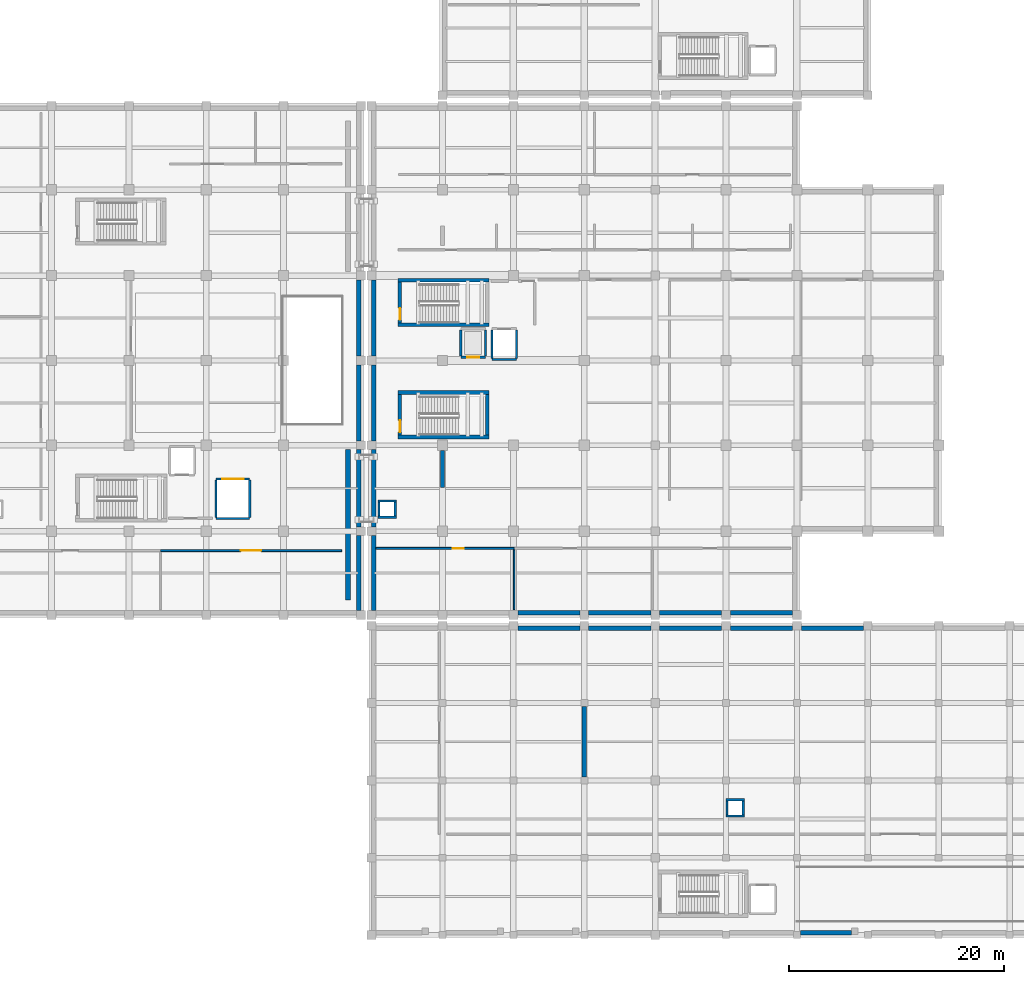
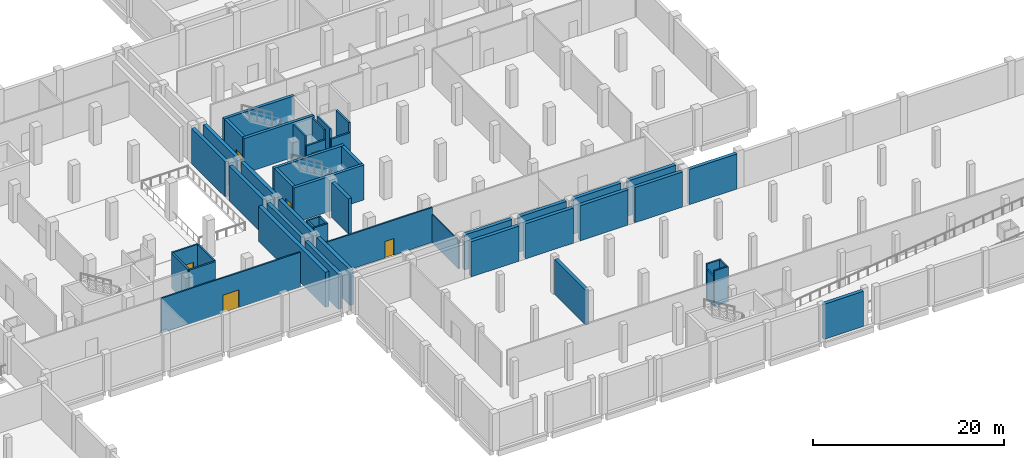
# One storey, part 14 of 31: 49 walls, 6 doors, 6 openings.
"""IFC4 building model written with IfcOpenShell, lengths in metres."""

import ifcopenshell
import ifcopenshell.guid

model = None  # the IFC model being written
_history = None  # IfcOwnerHistory: only IFC2X3 demands one
_inside = {}  # id of a spatial element -> (the spatial element, [elements in it])
_under = {}  # id of a project, library or spatial element -> (it, [spatial elements below it])
_declared = {}  # id of a project -> (the project, [libraries it declares])
_typed = {}  # id of a type object -> (the type object, [elements of that type])
_made_of = {}  # id of a material, layer set ... -> (it, [elements and type objects made of it])


def new_model(schema):
    """Start an empty IFC model of exactly this schema.

    Asked for "IFC4X3", IfcOpenShell would pick the latest addendum, in which some entities
    have other attributes; the version numbers below select the first issue.
    IFC2X3 requires an IfcOwnerHistory on every rooted entity: one is made here for all.
    """
    global model, _history
    if schema == "IFC4X3":
        model = ifcopenshell.file(schema_version=(4, 3, 0, 0))
    else:
        model = ifcopenshell.file(schema=schema)
    _inside.clear()
    _under.clear()
    _declared.clear()
    _typed.clear()
    _made_of.clear()
    _history = None
    if model.schema == "IFC2X3":
        org = make("IfcOrganization", Name="unknown")
        user = make(
            "IfcPersonAndOrganization",
            ThePerson=make("IfcPerson", FamilyName="unknown"),
            TheOrganization=org,
        )
        app = make(
            "IfcApplication",
            ApplicationDeveloper=org,
            Version="unknown",
            ApplicationFullName="unknown",
            ApplicationIdentifier="unknown",
        )
        _history = make(
            "IfcOwnerHistory",
            OwningUser=user,
            OwningApplication=app,
            ChangeAction="ADDED",
            CreationDate=0,
        )
    return model


def make(cls, **values):
    """One entity of the class cls with the attributes given. An attribute that is None is left unset."""
    return model.create_entity(
        cls, **{name: value for name, value in values.items() if value is not None}
    )


def rooted(cls, **values):
    """An entity with a GlobalId (a new one), such as an element, a storey or a relation."""
    return make(cls, GlobalId=ifcopenshell.guid.new(), OwnerHistory=_history, **values)


def si_unit(unit_type, name, prefix=None):
    """IfcSIUnit, for example si_unit("LENGTHUNIT", "METRE", prefix="MILLI")."""
    return make("IfcSIUnit", UnitType=unit_type, Prefix=prefix, Name=name)


def assignment(units):
    """IfcUnitAssignment: the units of a project."""
    return None if units is None else make("IfcUnitAssignment", Units=units)


def point(xyz):
    """IfcCartesianPoint."""
    return None if xyz is None else make("IfcCartesianPoint", Coordinates=xyz)


def direction(xyz):
    """IfcDirection."""
    return None if xyz is None else make("IfcDirection", DirectionRatios=xyz)


def frame(location, z_axis=None, x_axis=None):
    """IfcAxis2Placement3D, a coordinate frame: its origin and axes. An axis left out is left unset."""
    return make(
        "IfcAxis2Placement3D",
        Location=point(location),
        Axis=direction(z_axis),
        RefDirection=direction(x_axis),
    )


def frame_2d(location, x_axis=None):
    """IfcAxis2Placement2D, a coordinate frame in the plane: its origin and x axis."""
    return make(
        "IfcAxis2Placement2D", Location=point(location), RefDirection=direction(x_axis)
    )


def origin():
    """The frame at (0, 0, 0) with its axes left unset."""
    return frame((0.0, 0.0, 0.0))


def place(relative_to, where):
    """IfcLocalPlacement: puts the frame where relative to a parent placement (None: the world)."""
    return make(
        "IfcLocalPlacement", PlacementRelTo=relative_to, RelativePlacement=where
    )


def context(
    kind, dimensions, precision=None, world=None, true_north=None, identifier=None
):
    """IfcGeometricRepresentationContext, for example the 3D "Model" context."""
    return make(
        "IfcGeometricRepresentationContext",
        ContextIdentifier=identifier,
        ContextType=kind,
        CoordinateSpaceDimension=dimensions,
        Precision=precision,
        WorldCoordinateSystem=world,
        TrueNorth=true_north,
    )


def subcontext(parent, identifier, kind, view, scale=None):
    """IfcGeometricRepresentationSubContext, for example "Body" below "Model"."""
    return make(
        "IfcGeometricRepresentationSubContext",
        ContextIdentifier=identifier,
        ContextType=kind,
        ParentContext=parent,
        TargetScale=scale,
        TargetView=view,
    )


def project(units=None, contexts=None):
    """IfcProject with its units and contexts."""
    return rooted(
        "IfcProject",
        Name="project",
        RepresentationContexts=contexts,
        UnitsInContext=assignment(units),
    )


def spatial(cls, under=None, at=None, **own):
    """A site, building, storey or space (cls), placed at a placement, below another one or the project."""
    s = rooted(cls, ObjectPlacement=at, **own)
    if under is not None:
        _under.setdefault(under.id(), (under, []))[1].append(s)
    return s


def profile(cls, at=None, kind="AREA", **sizes):
    """A parametric profile (cls). Its sizes go by their IFC names, for example OverallWidth=200.0."""
    return make(cls, ProfileType=kind, Position=at, **sizes)


def rectangle(**sizes):
    """IfcRectangleProfileDef."""
    return profile("IfcRectangleProfileDef", **sizes)


def extrude(swept, where, along, depth):
    """IfcExtrudedAreaSolid: the profile swept, set in the frame where, extruded along a direction by depth."""
    return make(
        "IfcExtrudedAreaSolid",
        SweptArea=swept,
        Position=where,
        ExtrudedDirection=direction(along),
        Depth=depth,
    )


def shape(context_of_items, identifier, shape_type, items):
    """IfcShapeRepresentation: the items that make up one representation, for example the "Body"."""
    return make(
        "IfcShapeRepresentation",
        ContextOfItems=context_of_items,
        RepresentationIdentifier=identifier,
        RepresentationType=shape_type,
        Items=items,
    )


def material(Name=None, Category=None):
    """IfcMaterial."""
    return make("IfcMaterial", Name=Name, Category=Category)


def layer(
    of_material, thickness, ventilated=None, Name=None, Category=None, Priority=None
):
    """IfcMaterialLayer: one layer of a wall or slab, of a material (None: an air gap)."""
    return make(
        "IfcMaterialLayer",
        Material=of_material,
        LayerThickness=thickness,
        IsVentilated=ventilated,
        Name=Name,
        Category=Category,
        Priority=Priority,
    )


def layer_set(layers, Name=None):
    """IfcMaterialLayerSet."""
    return make("IfcMaterialLayerSet", MaterialLayers=layers, LayerSetName=Name)


def made_of(thing, what):
    """Note that an element or type object is made of a material, layer set ...; save() writes the relation."""
    if what is not None:
        _made_of.setdefault(what.id(), (what, []))[1].append(thing)
    return thing


def type_object(cls, material=None, **own):
    """A type object (cls), such as IfcWallType, which elements share."""
    return made_of(rooted(cls, **own), material)


def element(
    cls,
    number,
    at=None,
    inside=None,
    cuts=None,
    type_object=None,
    material=None,
    context=None,
    identifier="Body",
    shape_type=None,
    held_by="IfcProductDefinitionShape",
    body=None,
    shapes=None,
    **own,
):
    """One element of the class cls, such as IfcWall. Its Tag is "e" and its number.

    at: its placement. inside: the storey or other place that contains it. cuts: it is an
    opening in that element (IfcRelVoidsElement). A single representation is given by context,
    identifier, shape_type and body (its items); several are given by shapes. held_by: the class
    of the entity that holds the representations. save() writes the other relations.
    """
    e = rooted(cls, Tag="e%d" % number, ObjectPlacement=at, **own)
    if body is not None:
        shapes = [shape(context, identifier, shape_type, body)]
    if shapes is not None:
        e.Representation = make(held_by, Representations=shapes)
    if inside is not None:
        _inside.setdefault(inside.id(), (inside, []))[1].append(e)
    if cuts is not None:
        rooted(
            "IfcRelVoidsElement", RelatingBuildingElement=cuts, RelatedOpeningElement=e
        )
    if type_object is not None:
        _typed.setdefault(type_object.id(), (type_object, []))[1].append(e)
    return made_of(e, material)


def fill(opening, filler):
    """IfcRelFillsElement: the door or window that sits in an opening."""
    return rooted(
        "IfcRelFillsElement",
        RelatingOpeningElement=opening,
        RelatedBuildingElement=filler,
    )


def aggregate(whole, parts):
    """IfcRelAggregates: a whole, such as a stair, and the parts it consists of."""
    return rooted("IfcRelAggregates", RelatingObject=whole, RelatedObjects=parts)


def save(model, path):
    """Write the relations noted so far, then the file.

    IfcRelAggregates (storeys below a building ...), IfcRelContainedInSpatialStructure (elements
    in a storey), IfcRelDefinesByType, IfcRelAssociatesMaterial and IfcRelDeclares: one each for
    every whole, place, type object, material and project.
    """
    for whole, parts in _under.values():
        aggregate(whole, parts)
    for where, things in _inside.values():
        rooted(
            "IfcRelContainedInSpatialStructure",
            RelatedElements=things,
            RelatingStructure=where,
        )
    for kind, things in _typed.values():
        rooted("IfcRelDefinesByType", RelatedObjects=things, RelatingType=kind)
    for what, things in _made_of.values():
        rooted("IfcRelAssociatesMaterial", RelatedObjects=things, RelatingMaterial=what)
    for by, libraries in _declared.values():
        rooted("IfcRelDeclares", RelatingContext=by, RelatedDefinitions=libraries)
    model.write(path)


model = new_model("IFC4")

# Units and contexts
model_context = context("Model", 3, precision=1e-05, world=origin(), true_north=direction((0.0, 1.0)))
body_context = subcontext(model_context, "Body", "Model", "MODEL_VIEW")
ifc_project = project(units=[si_unit("LENGTHUNIT", "METRE"), si_unit("AREAUNIT", "SQUARE_METRE"), si_unit("VOLUMEUNIT", "CUBIC_METRE"), si_unit("PLANEANGLEUNIT", "RADIAN"), si_unit("MASSUNIT", "GRAM", prefix="KILO")], contexts=[model_context])

# Site, building, storey
site_placement = place(None, origin())
site = spatial("IfcSite", under=ifc_project, at=site_placement, CompositionType="ELEMENT")
building_placement = place(site_placement, origin())
building = spatial("IfcBuilding", under=site, at=building_placement, Name="Kelarvand Opera House", CompositionType="ELEMENT")
storey_placement = place(building_placement, frame((0.0, 0.0, -4.800048828125)))
storey = spatial("IfcBuildingStorey", under=building, at=storey_placement, Name="B1", CompositionType="ELEMENT", Elevation=-4.800048828125)

# Walls
ifc_material_1 = material(Name="Concrete C40/50", Category="concrete")
ifc_layer_1 = layer(ifc_material_1, 0.449951171875, Name="Concrete C40/50", Category="concrete")
ifc_layer_set_1 = layer_set([ifc_layer_1], Name="Concrete C40/50")
wall_type_1 = type_object("IfcWallType", Name="Acoustic Proscenium Shear Wall 450", PredefinedType="SHEAR", material=ifc_layer_set_1)
wall_1_placement = place(storey_placement, frame((86.800048828125, 40.199951171875, 0.0), z_axis=(0.0, 0.0, 1.0), x_axis=(0.0, 1.0, 0.0)))
element("IfcWall", 1, at=wall_1_placement, inside=storey, type_object=wall_type_1, Name="V2 Shear Wall PW-120 B1", PredefinedType="SHEAR", context=body_context, shape_type="SweptSolid", body=[
    extrude(rectangle(XDim=14.0, YDim=0.449951171875, at=frame_2d((7.0, 0.0))), origin(), (0.0, 0.0, 1.0), 4.47998046875),
])
ifc_material_2 = material(Name="Acoustic double-stud gypsum partition")
ifc_layer_2 = layer(ifc_material_2, 0.14990234375, Name="Acoustic double-stud gypsum partition")
ifc_layer_set_2 = layer_set([ifc_layer_2], Name="Acoustic double-stud gypsum partition")
wall_type_2 = type_object("IfcWallType", Name="Acoustic Room Partition Wall 150", PredefinedType="PARTITIONING", material=ifc_layer_set_2)
wall_2_placement = place(storey_placement, frame((102.26708984375, 39.300048828125, 0.0), z_axis=(0.0, 0.0, 1.0), x_axis=(0.0, 1.0, 0.0)))
element("IfcWall", 2, at=wall_2_placement, inside=storey, type_object=wall_type_2, Name="V1 B1 Partition Wall IW-150 (162)", PredefinedType="PARTITIONING", context=body_context, shape_type="SweptSolid", body=[
    extrude(rectangle(XDim=5.56005859375, YDim=0.14990234375, at=frame_2d((2.780029296875, 0.0))), origin(), (0.0, 0.0, 1.0), 3.6220703125),
])
ifc_material_3 = material(Name="Concrete C35/45", Category="concrete")
ifc_layer_3 = layer(ifc_material_3, 0.419921875, Name="Concrete C35/45", Category="concrete")
ifc_layer_set_3 = layer_set([ifc_layer_3], Name="Concrete C35/45")
wall_type_3 = type_object("IfcWallType", Name="Basement Perimeter Retaining Wall 420", PredefinedType="SHEAR", material=ifc_layer_set_3)
for number, where, z_axis, x_axis, name in (
    (3, (128.18994140625, 39.010009765625, 0.0), (0.0, 0.0, 1.0), (-1.0, 0.0, 0.0), "V1 B1 Retaining Wall 29"),
    (4, (121.590087890625, 39.010009765625, 0.0), (0.0, 0.0, 1.0), (-1.0, 0.0, 0.0), "V1 B1 Retaining Wall 30"),
    (5, (114.989990234375, 39.010009765625, 0.0), (0.0, 0.0, 1.0), (-1.0, 0.0, 0.0), "V1 B1 Retaining Wall 31"),
):
    element("IfcWall", number, at=place(storey_placement, frame(where, z_axis=z_axis, x_axis=x_axis)), inside=storey, type_object=wall_type_3, Name=name, PredefinedType="SHEAR", context=body_context, shape_type="SweptSolid", body=[
        extrude(rectangle(XDim=5.780029296875, YDim=0.419921875, at=frame_2d((2.89013671875, 0.0))), origin(), (0.0, 0.0, 1.0), 4.5),
    ])
wall_3_placement = place(storey_placement, frame((108.389892578125, 39.010009765625, 0.0), z_axis=(0.0, 0.0, 1.0), x_axis=(-1.0, 0.0, 0.0)))
element("IfcWall", 6, at=wall_3_placement, inside=storey, type_object=wall_type_3, Name="V1 B1 Retaining Wall 32", PredefinedType="SHEAR", context=body_context, shape_type="SweptSolid", body=[
    extrude(rectangle(XDim=5.77978515625, YDim=0.419921875, at=frame_2d((2.889892578125, 0.0))), origin(), (0.0, 0.0, 1.0), 4.5),
])
wall_4_placement = place(storey_placement, frame((89.2099609375, 39.2099609375, 0.0), z_axis=(0.0, 0.0, 1.0), x_axis=(0.0, 1.0, 0.0)))
element("IfcWall", 7, at=wall_4_placement, inside=storey, type_object=wall_type_3, Name="V1 B1 Retaining Wall 35", PredefinedType="SHEAR", context=body_context, shape_type="SweptSolid", body=[
    extrude(rectangle(XDim=6.97998046875, YDim=0.419921875, at=frame_2d((3.489990234375, 0.0))), origin(), (0.0, 0.0, 1.0), 4.5),
])
wall_5_placement = place(storey_placement, frame((89.2099609375, 47.010009765625, 0.0), z_axis=(0.0, 0.0, 1.0), x_axis=(0.0, 1.0, 0.0)))
element("IfcWall", 8, at=wall_5_placement, inside=storey, type_object=wall_type_3, Name="V1 B1 Retaining Wall 36", PredefinedType="SHEAR", context=body_context, shape_type="SweptSolid", body=[
    extrude(rectangle(XDim=7.179931640625, YDim=0.419921875, at=frame_2d((3.58984375, 0.0))), origin(), (0.0, 0.0, 1.0), 4.5),
])
for number, where, z_axis, x_axis, name in (
    (9, (89.2099609375, 55.010009765625, 0.0), (0.0, 0.0, 1.0), (0.0, 1.0, 0.0), "V1 B1 Retaining Wall 37"),
    (10, (89.2099609375, 62.909912109375, 0.0), (0.0, 0.0, 1.0), (0.0, 1.0, 0.0), "V1 B1 Retaining Wall 38"),
    (11, (87.7900390625, 69.989990234375, 0.0), (0.0, 0.0, 1.0), (0.0, -1.0, 0.0), "V2 B1 Retaining Wall 200"),
    (12, (87.7900390625, 62.090087890625, 0.0), (0.0, 0.0, 1.0), (0.0, -1.0, 0.0), "V2 B1 Retaining Wall 201"),
):
    element("IfcWall", number, at=place(storey_placement, frame(where, z_axis=z_axis, x_axis=x_axis)), inside=storey, type_object=wall_type_3, Name=name, PredefinedType="SHEAR", context=body_context, shape_type="SweptSolid", body=[
        extrude(rectangle(XDim=7.080078125, YDim=0.419921875, at=frame_2d((3.5400390625, 0.0))), origin(), (0.0, 0.0, 1.0), 4.5),
    ])
wall_6_placement = place(storey_placement, frame((87.7900390625, 54.18994140625, 0.0), z_axis=(0.0, 0.0, 1.0), x_axis=(0.0, -1.0, 0.0)))
element("IfcWall", 13, at=wall_6_placement, inside=storey, type_object=wall_type_3, Name="V2 B1 Retaining Wall 202", PredefinedType="SHEAR", context=body_context, shape_type="SweptSolid", body=[
    extrude(rectangle(XDim=7.179931640625, YDim=0.419921875, at=frame_2d((3.58984375, 0.0))), origin(), (0.0, 0.0, 1.0), 4.5),
])
wall_7_placement = place(storey_placement, frame((87.7900390625, 46.18994140625, 0.0), z_axis=(0.0, 0.0, 1.0), x_axis=(0.0, -1.0, 0.0)))
element("IfcWall", 14, at=wall_7_placement, inside=storey, type_object=wall_type_3, Name="V2 B1 Retaining Wall 203", PredefinedType="SHEAR", context=body_context, shape_type="SweptSolid", body=[
    extrude(rectangle(XDim=6.97998046875, YDim=0.419921875, at=frame_2d((3.489990234375, 0.0))), origin(), (0.0, 0.0, 1.0), 4.5),
])
wall_8_placement = place(storey_placement, frame((102.610107421875, 37.590087890625, 0.0), z_axis=(0.0, 0.0, 1.0), x_axis=(1.0, 0.0, 0.0)))
element("IfcWall", 15, at=wall_8_placement, inside=storey, type_object=wall_type_3, Name="V6 B1 Retaining Wall 671", PredefinedType="SHEAR", context=body_context, shape_type="SweptSolid", body=[
    extrude(rectangle(XDim=5.77978515625, YDim=0.419921875, at=frame_2d((2.889892578125, 0.0))), origin(), (0.0, 0.0, 1.0), 4.5),
])
for number, where, z_axis, x_axis, name in (
    (16, (109.2099609375, 37.590087890625, 0.0), (0.0, 0.0, 1.0), (1.0, 0.0, 0.0), "V6 B1 Retaining Wall 672"),
    (17, (115.81005859375, 37.590087890625, 0.0), (0.0, 0.0, 1.0), (1.0, 0.0, 0.0), "V6 B1 Retaining Wall 673"),
    (18, (122.409912109375, 37.590087890625, 0.0), (0.0, 0.0, 1.0), (1.0, 0.0, 0.0), "V6 B1 Retaining Wall 674"),
    (19, (129.010009765625, 37.590087890625, 0.0), (0.0, 0.0, 1.0), (1.0, 0.0, 0.0), "V6 B1 Retaining Wall 675"),
):
    element("IfcWall", number, at=place(storey_placement, frame(where, z_axis=z_axis, x_axis=x_axis)), inside=storey, type_object=wall_type_3, Name=name, PredefinedType="SHEAR", context=body_context, shape_type="SweptSolid", body=[
        extrude(rectangle(XDim=5.780029296875, YDim=0.419921875, at=frame_2d((2.89013671875, 0.0))), origin(), (0.0, 0.0, 1.0), 4.5),
    ])
wall_9_placement = place(storey_placement, frame((133.699951171875, 9.2099609375, 0.0), z_axis=(0.0, 0.0, 1.0), x_axis=(-1.0, 0.0, 0.0)))
element("IfcWall", 20, at=wall_9_placement, inside=storey, type_object=wall_type_3, Name="V6 B1 Retaining Wall 690", PredefinedType="SHEAR", context=body_context, shape_type="SweptSolid", body=[
    extrude(rectangle(XDim=4.77490234375, YDim=0.419921875, at=frame_2d((2.387451171875, 0.0))), origin(), (0.0, 0.0, 1.0), 4.5),
])
ifc_layer_4 = layer(ifc_material_1, 0.35009765625, Name="Concrete C40/50", Category="concrete")
ifc_layer_set_4 = layer_set([ifc_layer_4], Name="Concrete C40/50")
wall_type_4 = type_object("IfcWallType", Name="Core Stair and Lift Shear Wall 350", PredefinedType="SHEAR", material=ifc_layer_set_4)
for number, where, z_axis, x_axis, name in (
    (21, (91.449951171875, 65.824951171875, 0.0), (0.0, 0.0, 1.0), (1.0, 0.0, 0.0), "C1 Stair Core Shear Wall S B1"),
    (22, (99.949951171875, 69.97509765625, 0.0), (0.0, 0.0, 1.0), (-1.0, 0.0, 0.0), "C1 Stair Core Shear Wall N B1"),
):
    element("IfcWall", number, at=place(storey_placement, frame(where, z_axis=z_axis, x_axis=x_axis)), inside=storey, type_object=wall_type_4, Name=name, PredefinedType="SHEAR", context=body_context, shape_type="SweptSolid", body=[
        extrude(rectangle(XDim=8.5, YDim=0.35009765625, at=frame_2d((4.25, 0.0))), origin(), (0.0, 0.0, 1.0), 4.47998046875),
    ])

# Wall, opening, door
wall_10_placement = place(storey_placement, frame((91.625, 66.0, 0.0), z_axis=(0.0, 0.0, 1.0), x_axis=(0.0, 1.0, 0.0)))
wall_10 = element("IfcWall", 23, at=wall_10_placement, inside=storey, type_object=wall_type_4, Name="C1 Stair Core Shear Wall W B1", PredefinedType="SHEAR", context=body_context, shape_type="SweptSolid", body=[
    extrude(rectangle(XDim=3.800048828125, YDim=0.35009765625, at=frame_2d((1.89990234375, 0.0))), origin(), (0.0, 0.0, 1.0), 4.47998046875),
])
opening_1_placement = place(wall_10_placement, frame((0.280029296875, 0.0, 0.0)))
opening_1 = element("IfcOpeningElement", 24, at=opening_1_placement, cuts=wall_10, Name="Opening FD-01", PredefinedType="OPENING", context=body_context, shape_type="SweptSolid", body=[
    extrude(rectangle(XDim=1.10009765625, YDim=2.080078125, at=frame_2d((0.550048828125, 1.0400390625))), frame((0.0, 0.18505859375, 0.0), z_axis=(0.0, -1.0, 0.0), x_axis=(1.0, 0.0, 0.0)), (0.0, 0.0, 1.0), 0.3701171875),
])
ifc_material_4 = material(Name="Fire-rated brushed stainless steel", Category="steel")
door_type_1 = type_object("IfcDoorType", Name="Steel Fire-Rated Stair and FF Lobby Door 1100x2080", OperationType="NOTDEFINED", PredefinedType="DOOR", material=ifc_material_4)
door_1_placement = place(opening_1_placement, origin())
door_1 = element("IfcDoor", 25, at=door_1_placement, inside=storey, type_object=door_type_1, Name="C1 Stair ST-01 Fire Door B1", OperationType="SINGLE_SWING_LEFT", OverallHeight=2.080078125, OverallWidth=1.10009765625, PredefinedType="DOOR", context=body_context, shape_type="SweptSolid", body=[
    extrude(rectangle(XDim=1.10009765625, YDim=2.080078125, at=frame_2d((0.550048828125, 1.0400390625))), frame((0.0, 0.02490234375, 0.0), z_axis=(0.0, -1.0, 0.0), x_axis=(1.0, 0.0, 0.0)), (0.0, 0.0, 1.0), 0.050048828125),
])
fill(opening_1, door_1)

# Walls
for number, where, z_axis, x_axis, name in (
    (26, (91.449951171875, 55.375, 0.0), (0.0, 0.0, 1.0), (1.0, 0.0, 0.0), "C4 Stair Core Shear Wall S B1"),
    (27, (99.949951171875, 59.52490234375, 0.0), (0.0, 0.0, 1.0), (-1.0, 0.0, 0.0), "C4 Stair Core Shear Wall N B1"),
):
    element("IfcWall", number, at=place(storey_placement, frame(where, z_axis=z_axis, x_axis=x_axis)), inside=storey, type_object=wall_type_4, Name=name, PredefinedType="SHEAR", context=body_context, shape_type="SweptSolid", body=[
        extrude(rectangle(XDim=8.5, YDim=0.35009765625, at=frame_2d((4.25, 0.0))), origin(), (0.0, 0.0, 1.0), 4.47998046875),
    ])

# Wall, opening, door
wall_11_placement = place(storey_placement, frame((91.625, 55.550048828125, 0.0), z_axis=(0.0, 0.0, 1.0), x_axis=(0.0, 1.0, 0.0)))
wall_11 = element("IfcWall", 28, at=wall_11_placement, inside=storey, type_object=wall_type_4, Name="C4 Stair Core Shear Wall W B1", PredefinedType="SHEAR", context=body_context, shape_type="SweptSolid", body=[
    extrude(rectangle(XDim=3.800048828125, YDim=0.35009765625, at=frame_2d((1.89990234375, 0.0))), origin(), (0.0, 0.0, 1.0), 4.47998046875),
])
opening_2_placement = place(wall_11_placement, frame((0.280029296875, 0.0, 0.0)))
opening_2 = element("IfcOpeningElement", 29, at=opening_2_placement, cuts=wall_11, Name="Opening FD-01", PredefinedType="OPENING", context=body_context, shape_type="SweptSolid", body=[
    extrude(rectangle(XDim=1.10009765625, YDim=2.080078125, at=frame_2d((0.550048828125, 1.0400390625))), frame((0.0, 0.18505859375, 0.0), z_axis=(0.0, -1.0, 0.0), x_axis=(1.0, 0.0, 0.0)), (0.0, 0.0, 1.0), 0.3701171875),
])
door_2_placement = place(opening_2_placement, origin())
door_2 = element("IfcDoor", 30, at=door_2_placement, inside=storey, type_object=door_type_1, Name="C4 Stair ST-04 Fire Door B1", OperationType="SINGLE_SWING_RIGHT", OverallHeight=2.080078125, OverallWidth=1.10009765625, PredefinedType="DOOR", context=body_context, shape_type="SweptSolid", body=[
    extrude(rectangle(XDim=1.10009765625, YDim=2.080078125, at=frame_2d((0.550048828125, 1.0400390625))), frame((0.0, 0.02490234375, 0.0), z_axis=(0.0, -1.0, 0.0), x_axis=(1.0, 0.0, 0.0)), (0.0, 0.0, 1.0), 0.050048828125),
])
fill(opening_2, door_2)

# Wall
wall_12_placement = place(storey_placement, frame((99.77490234375, 59.35009765625, 0.0), z_axis=(0.0, 0.0, 1.0), x_axis=(0.0, -1.0, 0.0)))
element("IfcWall", 31, at=wall_12_placement, inside=storey, type_object=wall_type_4, Name="C4 Stair Core Shear Wall E B1", PredefinedType="SHEAR", context=body_context, shape_type="SweptSolid", body=[
    extrude(rectangle(XDim=3.800048828125, YDim=0.35009765625, at=frame_2d((1.89990234375, 0.0))), origin(), (0.0, 0.0, 1.0), 4.47998046875),
])

# Wall, opening, door
ifc_layer_5 = layer(ifc_material_3, 0.179931640625, Name="Concrete C35/45", Category="concrete")
ifc_layer_set_5 = layer_set([ifc_layer_5], Name="Concrete C35/45")
wall_type_5 = type_object("IfcWallType", Name="Corridor Fire-Rated Partition Wall 180 EI90", PredefinedType="PARTITIONING", material=ifc_layer_set_5)
wall_13_placement = place(storey_placement, frame((89.39990234375, 45.0, 0.0), z_axis=(0.0, 0.0, 1.0), x_axis=(1.0, 0.0, 0.0)))
wall_13 = element("IfcWall", 32, at=wall_13_placement, inside=storey, type_object=wall_type_5, Name="V1 B1 Partition Wall IW-90 (161)", PredefinedType="PARTITIONING", context=body_context, shape_type="SweptSolid", body=[
    extrude(rectangle(XDim=12.8671875, YDim=0.179931640625, at=frame_2d((6.43359375, 0.0))), origin(), (0.0, 0.0, 1.0), 4.47216796875),
])
opening_3_placement = place(wall_13_placement, frame((7.14501953125, 0.0, 0.0)))
opening_3 = element("IfcOpeningElement", 33, at=opening_3_placement, cuts=wall_13, Name="Opening D-02", PredefinedType="OPENING", context=body_context, shape_type="SweptSolid", body=[
    extrude(rectangle(XDim=1.050048828125, YDim=2.10009765625, at=frame_2d((0.52490234375, 1.050048828125))), frame((0.0, 0.10009765625, 0.0), z_axis=(0.0, -1.0, 0.0), x_axis=(1.0, 0.0, 0.0)), (0.0, 0.0, 1.0), 0.199951171875),
])
ifc_material_5 = material(Name="Acoustic walnut-veneered hardwood", Category="wood")
door_type_2 = type_object("IfcDoorType", Name="Acoustic Studio Single Door 1050x2100", OperationType="NOTDEFINED", PredefinedType="DOOR", material=ifc_material_5)
door_3_placement = place(opening_3_placement, origin())
door_3 = element("IfcDoor", 34, at=door_3_placement, inside=storey, type_object=door_type_2, Name="V1 B1 Door D-02 (65)", OperationType="SINGLE_SWING_RIGHT", OverallHeight=2.10009765625, OverallWidth=1.050048828125, PredefinedType="DOOR", context=body_context, shape_type="SweptSolid", body=[
    extrude(rectangle(XDim=1.050048828125, YDim=2.10009765625, at=frame_2d((0.52490234375, 1.050048828125))), frame((0.0, 0.02490234375, 0.0), z_axis=(0.0, -1.0, 0.0), x_axis=(1.0, 0.0, 0.0)), (0.0, 0.0, 1.0), 0.050048828125),
])
fill(opening_3, door_3)

wall_14_placement = place(storey_placement, frame((69.35009765625, 44.800048828125, 0.0), z_axis=(0.0, 0.0, 1.0), x_axis=(1.0, 0.0, 0.0)))
wall_14 = element("IfcWall", 35, at=wall_14_placement, inside=storey, type_object=wall_type_5, Name="V2 B1 Partition Wall IW-90 (179)", PredefinedType="PARTITIONING", context=body_context, shape_type="SweptSolid", body=[
    extrude(rectangle(XDim=16.849853515625, YDim=0.179931640625, at=frame_2d((8.4248046875, 0.0))), origin(), (0.0, 0.0, 1.0), 4.47216796875),
])
opening_4_placement = place(wall_14_placement, frame((7.47509765625, 0.0, 0.0)))
opening_4 = element("IfcOpeningElement", 36, at=opening_4_placement, cuts=wall_14, Name="Opening D-16", PredefinedType="OPENING", context=body_context, shape_type="SweptSolid", body=[
    extrude(rectangle(XDim=1.89990234375, YDim=2.260009765625, at=frame_2d((0.949951171875, 1.1298828125))), frame((0.0, 0.10009765625, 0.0), z_axis=(0.0, -1.0, 0.0), x_axis=(1.0, 0.0, 0.0)), (0.0, 0.0, 1.0), 0.199951171875),
])
door_type_3 = type_object("IfcDoorType", Name="Orchestra Warm-Up Double Door 1900x2260", OperationType="NOTDEFINED", PredefinedType="DOOR", material=ifc_material_5)
door_4_placement = place(opening_4_placement, origin())
door_4 = element("IfcDoor", 37, at=door_4_placement, inside=storey, type_object=door_type_3, Name="V2 B1 Door D-16 (76)", OperationType="DOUBLE_DOOR_SINGLE_SWING", OverallHeight=2.260009765625, OverallWidth=1.89990234375, PredefinedType="DOOR", context=body_context, shape_type="SweptSolid", body=[
    extrude(rectangle(XDim=1.89990234375, YDim=2.260009765625, at=frame_2d((0.949951171875, 1.1298828125))), frame((0.0, 0.02490234375, 0.0), z_axis=(0.0, -1.0, 0.0), x_axis=(1.0, 0.0, 0.0)), (0.0, 0.0, 1.0), 0.050048828125),
])
fill(opening_4, door_4)

# Walls
ifc_layer_6 = layer(ifc_material_3, 0.199951171875, Name="Concrete C35/45", Category="concrete")
ifc_layer_set_6 = layer_set([ifc_layer_6], Name="Concrete C35/45")
wall_type_6 = type_object("IfcWallType", Name="Lift and Riser Shaft Enclosure Wall 200 EI120", PredefinedType="PARTITIONING", material=ifc_layer_set_6)
for number, where, z_axis, x_axis, name in (
    (38, (89.60009765625, 47.89990234375, 0.0), (0.0, 0.0, 1.0), (1.0, 0.0, 0.0), "RSR-V1 B1 Riser Shaft Wall 5"),
    (39, (91.300048828125, 49.39990234375, 0.0), (0.0, 0.0, 1.0), (-1.0, 0.0, 0.0), "RSR-V1 B1 Riser Shaft Wall 6"),
):
    element("IfcWall", number, at=place(storey_placement, frame(where, z_axis=z_axis, x_axis=x_axis)), inside=storey, type_object=wall_type_6, Name=name, PredefinedType="PARTITIONING", context=body_context, shape_type="SweptSolid", body=[
        extrude(rectangle(XDim=1.699951171875, YDim=0.199951171875, at=frame_2d((0.85009765625, 0.0))), origin(), (0.0, 0.0, 1.0), 4.5),
    ])
for number, where, z_axis, x_axis, name in (
    (40, (89.699951171875, 48.0, 0.0), (0.0, 0.0, 1.0), (0.0, 1.0, 0.0), "RSR-V1 B1 Riser Shaft Wall 7"),
    (41, (91.199951171875, 49.300048828125, 0.0), (0.0, 0.0, 1.0), (0.0, -1.0, 0.0), "RSR-V1 B1 Riser Shaft Wall 8"),
):
    element("IfcWall", number, at=place(storey_placement, frame(where, z_axis=z_axis, x_axis=x_axis)), inside=storey, type_object=wall_type_6, Name=name, PredefinedType="PARTITIONING", context=body_context, shape_type="SweptSolid", body=[
        extrude(rectangle(XDim=1.300048828125, YDim=0.199951171875, at=frame_2d((0.64990234375, 0.0))), origin(), (0.0, 0.0, 1.0), 4.5),
    ])
for number, where, z_axis, x_axis, name in (
    (42, (122.0, 20.10009765625, 0.0), (0.0, 0.0, 1.0), (1.0, 0.0, 0.0), "RSR-V6 B1 Riser Shaft Wall 137"),
    (43, (123.699951171875, 21.60009765625, 0.0), (0.0, 0.0, 1.0), (-1.0, 0.0, 0.0), "RSR-V6 B1 Riser Shaft Wall 138"),
):
    element("IfcWall", number, at=place(storey_placement, frame(where, z_axis=z_axis, x_axis=x_axis)), inside=storey, type_object=wall_type_6, Name=name, PredefinedType="PARTITIONING", context=body_context, shape_type="SweptSolid", body=[
        extrude(rectangle(XDim=1.699951171875, YDim=0.199951171875, at=frame_2d((0.85009765625, 0.0))), origin(), (0.0, 0.0, 1.0), 4.5),
    ])
wall_15_placement = place(storey_placement, frame((122.10009765625, 20.199951171875, 0.0), z_axis=(0.0, 0.0, 1.0), x_axis=(0.0, 1.0, 0.0)))
element("IfcWall", 44, at=wall_15_placement, inside=storey, type_object=wall_type_6, Name="RSR-V6 B1 Riser Shaft Wall 139", PredefinedType="PARTITIONING", context=body_context, shape_type="SweptSolid", body=[
    extrude(rectangle(XDim=1.300048828125, YDim=0.199951171875, at=frame_2d((0.64990234375, 0.0))), origin(), (0.0, 0.0, 1.0), 3.741943359375),
])
wall_16_placement = place(storey_placement, frame((123.60009765625, 21.5, 0.0), z_axis=(0.0, 0.0, 1.0), x_axis=(0.0, -1.0, 0.0)))
element("IfcWall", 45, at=wall_16_placement, inside=storey, type_object=wall_type_6, Name="RSR-V6 B1 Riser Shaft Wall 140", PredefinedType="PARTITIONING", context=body_context, shape_type="SweptSolid", body=[
    extrude(rectangle(XDim=1.300048828125, YDim=0.199951171875, at=frame_2d((0.64990234375, 0.0))), origin(), (0.0, 0.0, 1.0), 4.5),
])
wall_17_placement = place(storey_placement, frame((100.199951171875, 62.60009765625, 0.0), z_axis=(0.0, 0.0, 1.0), x_axis=(1.0, 0.0, 0.0)))
element("IfcWall", 46, at=wall_17_placement, inside=storey, type_object=wall_type_6, Name="V1 B1 Partition Wall SW-200 (108)", PredefinedType="PARTITIONING", context=body_context, shape_type="SweptSolid", body=[
    extrude(rectangle(XDim=2.300048828125, YDim=0.199951171875, at=frame_2d((1.14990234375, 0.0))), origin(), (0.0, 0.0, 1.0), 3.27197265625),
])
for number, where, z_axis, x_axis, name in (
    (47, (100.199951171875, 62.699951171875, 0.0), (0.0, 0.0, 1.0), (0.0, 1.0, 0.0), "V1 B1 Partition Wall SW-200 (110)"),
    (48, (102.5, 65.35009765625, 0.0), (0.0, 0.0, 1.0), (0.0, -1.0, 0.0), "V1 B1 Partition Wall SW-200 (111)"),
):
    element("IfcWall", number, at=place(storey_placement, frame(where, z_axis=z_axis, x_axis=x_axis)), inside=storey, type_object=wall_type_6, Name=name, PredefinedType="PARTITIONING", context=body_context, shape_type="SweptSolid", body=[
        extrude(rectangle(XDim=2.650146484375, YDim=0.199951171875, at=frame_2d((1.3251953125, 0.0))), origin(), (0.0, 0.0, 1.0), 4.47216796875),
    ])

# Wall, opening, door
wall_18_placement = place(storey_placement, frame((97.300048828125, 62.800048828125, 0.0), z_axis=(0.0, 0.0, 1.0), x_axis=(1.0, 0.0, 0.0)))
wall_18 = element("IfcWall", 49, at=wall_18_placement, inside=storey, type_object=wall_type_6, Name="V1 B1 Partition Wall SW-200 (112)", PredefinedType="PARTITIONING", context=body_context, shape_type="SweptSolid", body=[
    extrude(rectangle(XDim=2.300048828125, YDim=0.199951171875, at=frame_2d((1.14990234375, 0.0))), origin(), (0.0, 0.0, 1.0), 3.27197265625),
])
opening_5_placement = place(wall_18_placement, frame((0.60009765625, 0.0, 0.0)))
opening_5 = element("IfcOpeningElement", 50, at=opening_5_placement, cuts=wall_18, Name="Opening LD-01", PredefinedType="OPENING", context=body_context, shape_type="SweptSolid", body=[
    extrude(rectangle(XDim=1.10009765625, YDim=2.14990234375, at=frame_2d((0.550048828125, 1.074951171875))), frame((0.0, 0.10986328125, 0.0), z_axis=(0.0, -1.0, 0.0), x_axis=(1.0, 0.0, 0.0)), (0.0, 0.0, 1.0), 0.219970703125),
])
door_type_4 = type_object("IfcDoorType", Name="Passenger Lift Sliding Landing Door 1100x2150", OperationType="SLIDING_TO_LEFT", PredefinedType="DOOR", material=ifc_material_4)
door_5_placement = place(opening_5_placement, origin())
door_5 = element("IfcDoor", 51, at=door_5_placement, inside=storey, type_object=door_type_4, Name="V1 B1 Door LD-01 (49)", OperationType="SLIDING_TO_LEFT", OverallHeight=2.14990234375, OverallWidth=1.10009765625, PredefinedType="DOOR", context=body_context, shape_type="SweptSolid", body=[
    extrude(rectangle(XDim=1.10009765625, YDim=2.14990234375, at=frame_2d((0.550048828125, 1.074951171875))), frame((0.0, 0.02490234375, 0.0), z_axis=(0.0, -1.0, 0.0), x_axis=(1.0, 0.0, 0.0)), (0.0, 0.0, 1.0), 0.050048828125),
])
fill(opening_5, door_5)

# Walls
for number, where, z_axis, x_axis, name in (
    (52, (97.300048828125, 62.89990234375, 0.0), (0.0, 0.0, 1.0), (0.0, 1.0, 0.0), "V1 B1 Partition Wall SW-200 (114)"),
    (53, (99.60009765625, 65.35009765625, 0.0), (0.0, 0.0, 1.0), (0.0, -1.0, 0.0), "V1 B1 Partition Wall SW-200 (115)"),
):
    element("IfcWall", number, at=place(storey_placement, frame(where, z_axis=z_axis, x_axis=x_axis)), inside=storey, type_object=wall_type_6, Name=name, PredefinedType="PARTITIONING", context=body_context, shape_type="SweptSolid", body=[
        extrude(rectangle(XDim=2.4501953125, YDim=0.199951171875, at=frame_2d((1.22509765625, 0.0))), origin(), (0.0, 0.0, 1.0), 4.47216796875),
    ])
wall_19_placement = place(storey_placement, frame((74.5, 47.800048828125, 0.0), z_axis=(0.0, 0.0, 1.0), x_axis=(1.0, 0.0, 0.0)))
element("IfcWall", 54, at=wall_19_placement, inside=storey, type_object=wall_type_6, Name="V2 B1 Partition Wall SW-200 (123)", PredefinedType="PARTITIONING", context=body_context, shape_type="SweptSolid", body=[
    extrude(rectangle(XDim=3.14990234375, YDim=0.199951171875, at=frame_2d((1.574951171875, 0.0))), origin(), (0.0, 0.0, 1.0), 4.47216796875),
])

# Wall, opening, door
wall_20_placement = place(storey_placement, frame((77.64990234375, 51.449951171875, 0.0), z_axis=(0.0, 0.0, 1.0), x_axis=(-1.0, 0.0, 0.0)))
wall_20 = element("IfcWall", 55, at=wall_20_placement, inside=storey, type_object=wall_type_6, Name="V2 B1 Partition Wall SW-200 (124)", PredefinedType="PARTITIONING", context=body_context, shape_type="SweptSolid", body=[
    extrude(rectangle(XDim=3.14990234375, YDim=0.199951171875, at=frame_2d((1.574951171875, 0.0))), origin(), (0.0, 0.0, 1.0), 4.47216796875),
])
opening_6_placement = place(wall_20_placement, frame((0.574951171875, 0.0, 0.0)))
opening_6 = element("IfcOpeningElement", 56, at=opening_6_placement, cuts=wall_20, Name="Opening LD-03", PredefinedType="OPENING", context=body_context, shape_type="SweptSolid", body=[
    extrude(rectangle(XDim=2.0, YDim=2.35009765625, at=frame_2d((1.0, 1.175048828125))), frame((0.0, 0.10986328125, 0.0), z_axis=(0.0, -1.0, 0.0), x_axis=(1.0, 0.0, 0.0)), (0.0, 0.0, 1.0), 0.219970703125),
])
door_type_5 = type_object("IfcDoorType", Name="Scenery Goods Lift Sliding Landing Door 2000x2350", OperationType="SLIDING_TO_LEFT", PredefinedType="DOOR", material=ifc_material_4)
door_6_placement = place(opening_6_placement, origin())
door_6 = element("IfcDoor", 57, at=door_6_placement, inside=storey, type_object=door_type_5, Name="V2 B1 Door LD-03 (52)", OperationType="SLIDING_TO_LEFT", OverallHeight=2.35009765625, OverallWidth=2.0, PredefinedType="DOOR", context=body_context, shape_type="SweptSolid", body=[
    extrude(rectangle(XDim=2.0, YDim=2.35009765625, at=frame_2d((1.0, 1.175048828125))), frame((0.0, 0.02490234375, 0.0), z_axis=(0.0, -1.0, 0.0), x_axis=(1.0, 0.0, 0.0)), (0.0, 0.0, 1.0), 0.050048828125),
])
fill(opening_6, door_6)

# Walls
for number, where, z_axis, x_axis, name in (
    (58, (74.5, 47.89990234375, 0.0), (0.0, 0.0, 1.0), (0.0, 1.0, 0.0), "V2 B1 Partition Wall SW-200 (125)"),
    (59, (77.64990234375, 51.35009765625, 0.0), (0.0, 0.0, 1.0), (0.0, -1.0, 0.0), "V2 B1 Partition Wall SW-200 (126)"),
):
    element("IfcWall", number, at=place(storey_placement, frame(where, z_axis=z_axis, x_axis=x_axis)), inside=storey, type_object=wall_type_6, Name=name, PredefinedType="PARTITIONING", context=body_context, shape_type="SweptSolid", body=[
        extrude(rectangle(XDim=3.4501953125, YDim=0.199951171875, at=frame_2d((1.72509765625, 0.0))), origin(), (0.0, 0.0, 1.0), 4.47216796875),
    ])
ifc_layer_7 = layer(ifc_material_1, 0.39990234375, Name="Concrete C40/50", Category="concrete")
ifc_layer_set_7 = layer_set([ifc_layer_7], Name="Concrete C40/50")
wall_type_7 = type_object("IfcWallType", Name="Seismic Compartment Shear Wall 400", PredefinedType="SHEAR", material=ifc_layer_set_7)
wall_21_placement = place(storey_placement, frame((95.60009765625, 50.64990234375, 0.0), z_axis=(0.0, 0.0, 1.0), x_axis=(0.0, 1.0, 0.0)))
element("IfcWall", 60, at=wall_21_placement, inside=storey, type_object=wall_type_7, Name="V1 Shear Wall CW-120 B1", PredefinedType="SHEAR", context=body_context, shape_type="SweptSolid", body=[
    extrude(rectangle(XDim=3.47509765625, YDim=0.39990234375, at=frame_2d((1.737548828125, 0.0))), origin(), (0.0, 0.0, 1.0), 4.47998046875),
])
wall_22_placement = place(storey_placement, frame((108.800048828125, 23.72509765625, 0.0), z_axis=(0.0, 0.0, 1.0), x_axis=(0.0, 1.0, 0.0)))
element("IfcWall", 61, at=wall_22_placement, inside=storey, type_object=wall_type_7, Name="V6 Shear Wall CW-120 B1", PredefinedType="SHEAR", context=body_context, shape_type="SweptSolid", body=[
    extrude(rectangle(XDim=6.5498046875, YDim=0.39990234375, at=frame_2d((3.27490234375, 0.0))), origin(), (0.0, 0.0, 1.0), 4.47998046875),
])

save(model, "model.ifc")
